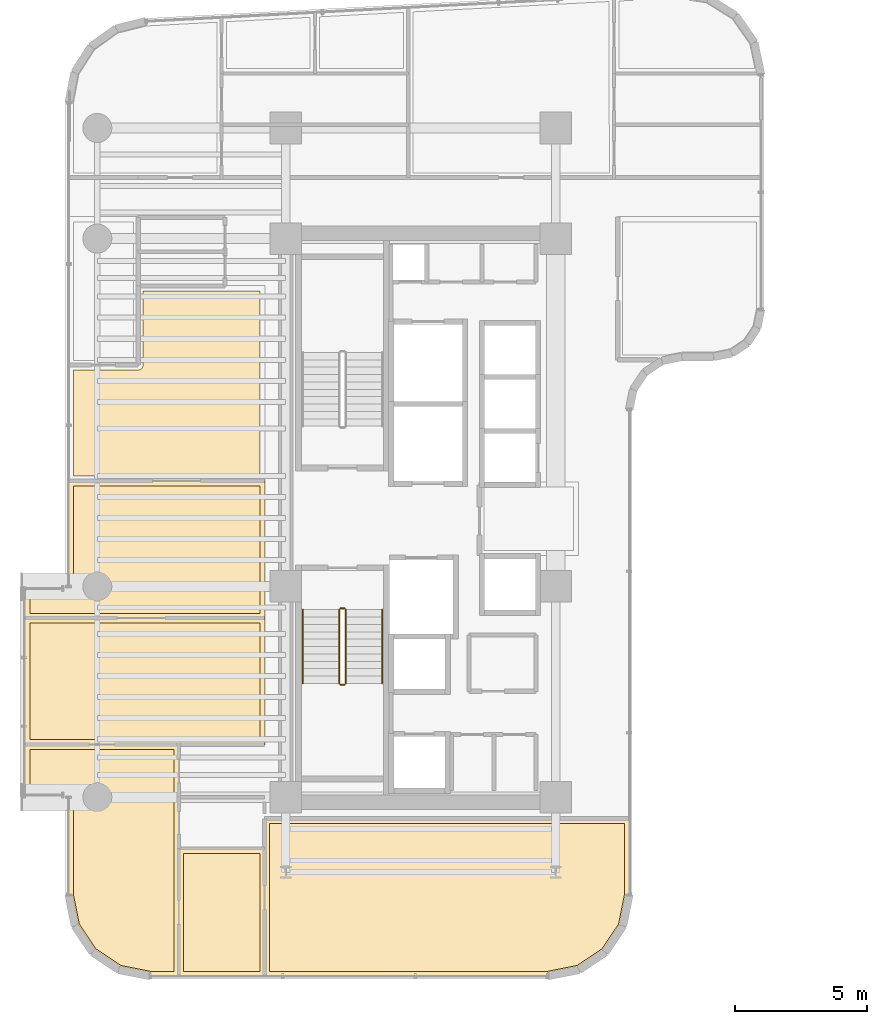
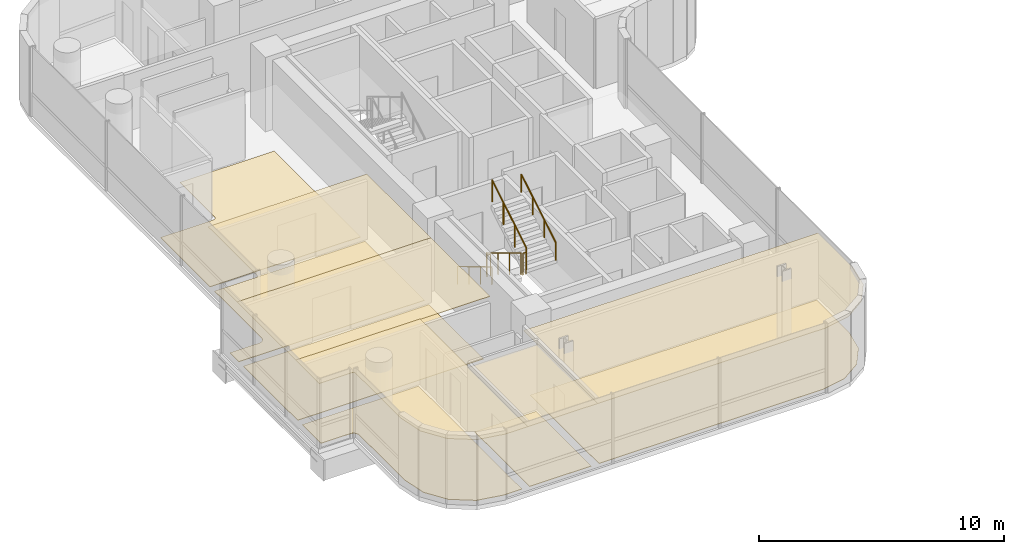
# One storey, part 31 of 34: 11 coverings, 6 railings.
"""IFC4 building model written with IfcOpenShell, lengths in metres."""

from ifc_helpers import new_model, si_unit, direction, frame, origin, origin_2d, place, context, subcontext, project, spatial, polyline, circle, outline, extrude, material, layer, layer_set, type_object, element, save


model = new_model("IFC4")

# Units and contexts
model_context = context("Model", 3, precision=1e-05, world=origin(), true_north=direction((0.0, 1.0)))
body_context = subcontext(model_context, "Body", "Model", "MODEL_VIEW")
ifc_project = project(units=[si_unit("LENGTHUNIT", "METRE"), si_unit("AREAUNIT", "SQUARE_METRE"), si_unit("VOLUMEUNIT", "CUBIC_METRE"), si_unit("PLANEANGLEUNIT", "RADIAN"), si_unit("MASSUNIT", "GRAM", prefix="KILO")], contexts=[model_context])

# Site, building, storey
site_placement = place(None, origin())
site = spatial("IfcSite", under=ifc_project, at=site_placement, CompositionType="ELEMENT")
building_placement = place(site_placement, origin())
building = spatial("IfcBuilding", under=site, at=building_placement, Name="Valdorenza Pilgrim Sanctuary Tower", CompositionType="ELEMENT")
storey_placement = place(building_placement, frame((0.0, 0.0, 161.199951171875)))
storey = spatial("IfcBuildingStorey", under=building, at=storey_placement, Name="L41", CompositionType="ELEMENT", Elevation=161.199951171875)

# Coverings
ifc_material_1 = material(Name="Micro-perforated acoustic mineral ceiling tile", Category="gypsum")
ifc_layer_1 = layer(ifc_material_1, 0.02490234375, Name="Micro-perforated acoustic mineral ceiling tile")
ifc_layer_set_1 = layer_set([ifc_layer_1], Name="Micro-perforated acoustic mineral ceiling tile")
covering_type_1 = type_object("IfcCoveringType", Name="COV-CLG-ACU", PredefinedType="CEILING", material=ifc_layer_set_1)
covering_1_placement = place(storey_placement, frame((0.0, 0.0, 3.16015625)))
element("IfcCovering", 1, at=covering_1_placement, inside=storey, type_object=covering_type_1, Name="L41 Sanctuary Apartment L41-CS1 Bedroom Acoustic Ceiling", PredefinedType="CEILING", context=body_context, shape_type="SweptSolid", body=[
    extrude(outline(polyline([(-26.7236328125, -12.550048828125), (-26.723388671875, -12.548583984375), (-26.723388671875, -12.547119140625), (-26.722900390625, -12.545654296875), (-26.722412109375, -12.544189453125), (-26.7216796875, -12.54296875), (-26.72119140625, -12.541748046875), (-26.72021484375, -12.54052734375), (-26.71923828125, -12.539306640625), (-26.718017578125, -12.538330078125), (-26.716796875, -12.53759765625), (-26.7158203125, -12.536865234375), (-26.71435546875, -12.5361328125), (-26.712890625, -12.53564453125), (-26.71142578125, -12.535400390625), (-26.710205078125, -12.53515625), (-26.70849609375, -12.534912109375), (-23.449951171875, -12.534912109375), (-23.448486328125, -12.53515625), (-23.447021484375, -12.535400390625), (-23.445556640625, -12.53564453125), (-23.4443359375, -12.5361328125), (-23.44287109375, -12.536865234375), (-23.441650390625, -12.53759765625), (-23.4404296875, -12.538330078125), (-23.439453125, -12.539306640625), (-23.4384765625, -12.54052734375), (-23.4375, -12.541748046875), (-23.436767578125, -12.54296875), (-23.43603515625, -12.544189453125), (-23.435546875, -12.545654296875), (-23.435302734375, -12.547119140625), (-23.43505859375, -12.548583984375), (-23.43505859375, -12.550048828125), (-23.43505859375, -17.389892578125), (-23.43505859375, -17.3916015625), (-23.435302734375, -17.392822265625), (-23.435546875, -17.394287109375), (-23.43603515625, -17.395751953125), (-23.436767578125, -17.397216796875), (-23.4375, -17.398193359375), (-23.4384765625, -17.3994140625), (-23.439453125, -17.400634765625), (-23.4404296875, -17.401611328125), (-23.441650390625, -17.402587890625), (-23.44287109375, -17.4033203125), (-23.4443359375, -17.40380859375), (-23.445556640625, -17.404296875), (-23.447021484375, -17.40478515625), (-23.448486328125, -17.40478515625), (-23.449951171875, -17.405029296875), (-26.70849609375, -17.405029296875), (-26.710205078125, -17.40478515625), (-26.71142578125, -17.40478515625), (-26.712890625, -17.404296875), (-26.71435546875, -17.40380859375), (-26.7158203125, -17.4033203125), (-26.716796875, -17.402587890625), (-26.718017578125, -17.401611328125), (-26.71923828125, -17.400634765625), (-26.72021484375, -17.3994140625), (-26.72119140625, -17.398193359375), (-26.7216796875, -17.397216796875), (-26.722412109375, -17.395751953125), (-26.722900390625, -17.394287109375), (-26.723388671875, -17.392822265625), (-26.723388671875, -17.3916015625), (-26.7236328125, -17.389892578125), (-26.7236328125, -12.550048828125)])), origin(), (0.0, 0.0, 1.0), 0.02490234375),
])
covering_2_placement = place(storey_placement, frame((0.0, 0.0, 3.16015625)))
element("IfcCovering", 2, at=covering_2_placement, inside=storey, type_object=covering_type_1, Name="L41 Sanctuary Apartment L41-CS1 Living Room Acoustic Ceiling", PredefinedType="CEILING", context=body_context, shape_type="SweptSolid", body=[
    extrude(outline(polyline([(-28.984619140625, -17.16748046875), (-28.986083984375, -17.1669921875), (-28.9873046875, -17.16650390625), (-28.98876953125, -17.166015625), (-28.989990234375, -17.165283203125), (-29.99169921875, -16.495849609375), (-29.992919921875, -16.4951171875), (-29.993896484375, -16.493896484375), (-29.9951171875, -16.492919921875), (-29.995849609375, -16.49169921875), (-30.665283203125, -15.489990234375), (-30.666015625, -15.48876953125), (-30.66650390625, -15.4873046875), (-30.6669921875, -15.486083984375), (-30.66748046875, -15.484619140625), (-30.90478515625, -14.2919921875), (-30.90478515625, -14.29052734375), (-30.905029296875, -14.289306640625), (-30.905029296875, -10.600341796875), (-30.905517578125, -10.5908203125), (-30.90673828125, -10.58154296875), (-30.9091796875, -10.572509765625), (-30.912109375, -10.563720703125), (-30.916259765625, -10.55517578125), (-30.9208984375, -10.547119140625), (-30.926513671875, -10.539794921875), (-30.932861328125, -10.53271484375), (-30.939697265625, -10.526611328125), (-30.947265625, -10.52099609375), (-30.955078125, -10.51611328125), (-30.963623046875, -10.51220703125), (-30.972412109375, -10.509033203125), (-30.9814453125, -10.5068359375), (-30.99072265625, -10.505615234375), (-31.00048828125, -10.5048828125), (-32.5400390625, -10.5048828125), (-32.54150390625, -10.5048828125), (-32.54296875, -10.504638671875), (-32.54443359375, -10.50439453125), (-32.545654296875, -10.50390625), (-32.547119140625, -10.503173828125), (-32.54833984375, -10.50244140625), (-32.549560546875, -10.501708984375), (-32.550537109375, -10.50048828125), (-32.551513671875, -10.49951171875), (-32.552490234375, -10.498291015625), (-32.55322265625, -10.4970703125), (-32.553955078125, -10.49560546875), (-32.554443359375, -10.494384765625), (-32.5546875, -10.492919921875), (-32.554931640625, -10.491455078125), (-32.554931640625, -10.489990234375), (-32.554931640625, -8.60009765625), (-32.554931640625, -8.598388671875), (-32.5546875, -8.59716796875), (-32.554443359375, -8.595703125), (-32.553955078125, -8.59423828125), (-32.55322265625, -8.593017578125), (-32.552490234375, -8.591796875), (-32.551513671875, -8.590576171875), (-32.550537109375, -8.58935546875), (-32.549560546875, -8.58837890625), (-32.54833984375, -8.58740234375), (-32.547119140625, -8.5869140625), (-32.545654296875, -8.586181640625), (-32.54443359375, -8.585693359375), (-32.54296875, -8.585205078125), (-32.54150390625, -8.585205078125), (-32.5400390625, -8.5849609375), (-26.70849609375, -8.5849609375), (-26.70703125, -8.585205078125), (-26.705810546875, -8.585205078125), (-26.7041015625, -8.585693359375), (-26.702880859375, -8.586181640625), (-26.701416015625, -8.5869140625), (-26.7001953125, -8.58740234375), (-26.69921875, -8.58837890625), (-26.697998046875, -8.58935546875), (-26.697021484375, -8.590576171875), (-26.696044921875, -8.591796875), (-26.6953125, -8.593017578125), (-26.694580078125, -8.59423828125), (-26.694091796875, -8.595703125), (-26.69384765625, -8.59716796875), (-26.693603515625, -8.598388671875), (-26.693603515625, -8.60009765625), (-26.693603515625, -12.548095703125), (-26.693603515625, -12.549560546875), (-26.69384765625, -12.551025390625), (-26.6943359375, -12.552490234375), (-26.69482421875, -12.553955078125), (-26.695556640625, -12.555419921875), (-26.695556640625, -12.555419921875), (-26.695556640625, -17.389892578125), (-26.69580078125, -17.3916015625), (-26.69580078125, -17.392822265625), (-26.6962890625, -17.394287109375), (-26.69677734375, -17.395751953125), (-26.697509765625, -17.397216796875), (-26.697998046875, -17.398193359375), (-26.698974609375, -17.3994140625), (-26.699951171875, -17.400634765625), (-26.701171875, -17.401611328125), (-26.702392578125, -17.402587890625), (-26.70361328125, -17.4033203125), (-26.704833984375, -17.40380859375), (-26.706298828125, -17.404296875), (-26.707763671875, -17.40478515625), (-26.708984375, -17.40478515625), (-26.710693359375, -17.405029296875), (-27.789306640625, -17.405029296875), (-27.79052734375, -17.40478515625), (-27.7919921875, -17.40478515625), (-28.984619140625, -17.16748046875)])), origin(), (0.0, 0.0, 1.0), 0.02490234375),
])
covering_3_placement = place(storey_placement, frame((0.0, 0.0, 3.16015625)))
element("IfcCovering", 3, at=covering_3_placement, inside=storey, type_object=covering_type_1, Name="L41 South Contemplation Salon L41 Acoustic Ceiling", PredefinedType="CEILING", context=body_context, shape_type="SweptSolid", body=[
    extrude(outline(polyline([(-26.71044921875, -8.613037109375), (-32.5400390625, -8.613037109375), (-32.54150390625, -8.61279296875), (-32.54296875, -8.61279296875), (-32.54443359375, -8.6123046875), (-32.545654296875, -8.61181640625), (-32.547119140625, -8.611083984375), (-32.54833984375, -8.610595703125), (-32.549560546875, -8.609619140625), (-32.550537109375, -8.608642578125), (-32.551513671875, -8.607421875), (-32.552490234375, -8.606201171875), (-32.55322265625, -8.60498046875), (-32.553955078125, -8.603759765625), (-32.554443359375, -8.602294921875), (-32.5546875, -8.600830078125), (-32.554931640625, -8.599609375), (-32.554931640625, -8.597900390625), (-32.554931640625, -3.800048828125), (-32.554931640625, -3.798583984375), (-32.5546875, -3.797119140625), (-32.554443359375, -3.795654296875), (-32.553955078125, -3.794189453125), (-32.55322265625, -3.79296875), (-32.552490234375, -3.791748046875), (-32.551513671875, -3.79052734375), (-32.550537109375, -3.789306640625), (-32.549560546875, -3.788330078125), (-32.54833984375, -3.78759765625), (-32.547119140625, -3.786865234375), (-32.545654296875, -3.7861328125), (-32.54443359375, -3.78564453125), (-32.54296875, -3.785400390625), (-32.54150390625, -3.78515625), (-32.5400390625, -3.784912109375), (-23.449951171875, -3.784912109375), (-23.448486328125, -3.78515625), (-23.447021484375, -3.785400390625), (-23.445556640625, -3.78564453125), (-23.4443359375, -3.7861328125), (-23.44287109375, -3.786865234375), (-23.441650390625, -3.78759765625), (-23.4404296875, -3.788330078125), (-23.439453125, -3.789306640625), (-23.4384765625, -3.79052734375), (-23.4375, -3.791748046875), (-23.436767578125, -3.79296875), (-23.43603515625, -3.794189453125), (-23.435546875, -3.795654296875), (-23.435302734375, -3.797119140625), (-23.43505859375, -3.798583984375), (-23.43505859375, -3.800048828125), (-23.43505859375, -8.597900390625), (-23.43505859375, -8.599609375), (-23.435302734375, -8.600830078125), (-23.435546875, -8.602294921875), (-23.43603515625, -8.603759765625), (-23.436767578125, -8.60498046875), (-23.4375, -8.606201171875), (-23.4384765625, -8.607421875), (-23.439453125, -8.608642578125), (-23.4404296875, -8.609619140625), (-23.441650390625, -8.610595703125), (-23.44287109375, -8.611083984375), (-23.4443359375, -8.61181640625), (-23.445556640625, -8.6123046875), (-23.447021484375, -8.61279296875), (-23.448486328125, -8.61279296875), (-23.449951171875, -8.613037109375), (-26.704833984375, -8.613037109375), (-26.70556640625, -8.613037109375), (-26.70703125, -8.61328125), (-26.70849609375, -8.61328125), (-26.710205078125, -8.613037109375), (-26.71044921875, -8.613037109375)])), origin(), (0.0, 0.0, 1.0), 0.02490234375),
])
covering_4_placement = place(storey_placement, frame((0.0, 0.0, 3.16015625)))
element("IfcCovering", 4, at=covering_4_placement, inside=storey, type_object=covering_type_1, Name="L41 Pilgrim Reading Lounge L41 Acoustic Ceiling", PredefinedType="CEILING", context=body_context, shape_type="SweptSolid", body=[
    extrude(outline(polyline([(-23.43505859375, -3.798095703125), (-23.43505859375, -3.799560546875), (-23.435302734375, -3.80078125), (-23.435546875, -3.802490234375), (-23.43603515625, -3.8037109375), (-23.436767578125, -3.80517578125), (-23.4375, -3.806396484375), (-23.4384765625, -3.8076171875), (-23.439453125, -3.80859375), (-23.4404296875, -3.8095703125), (-23.441650390625, -3.810546875), (-23.44287109375, -3.811279296875), (-23.4443359375, -3.81201171875), (-23.445556640625, -3.8125), (-23.447021484375, -3.812744140625), (-23.448486328125, -3.81298828125), (-23.449951171875, -3.81298828125), (-32.5400390625, -3.81298828125), (-32.54150390625, -3.81298828125), (-32.54296875, -3.812744140625), (-32.54443359375, -3.8125), (-32.545654296875, -3.81201171875), (-32.547119140625, -3.811279296875), (-32.54833984375, -3.810546875), (-32.549560546875, -3.8095703125), (-32.550537109375, -3.80859375), (-32.551513671875, -3.8076171875), (-32.552490234375, -3.806396484375), (-32.55322265625, -3.80517578125), (-32.553955078125, -3.8037109375), (-32.554443359375, -3.802490234375), (-32.5546875, -3.80078125), (-32.554931640625, -3.799560546875), (-32.554931640625, -3.798095703125), (-32.554931640625, -2.7099609375), (-32.554931640625, -2.70849609375), (-32.5546875, -2.70703125), (-32.554443359375, -2.70556640625), (-32.553955078125, -2.704345703125), (-32.55322265625, -2.702880859375), (-32.552490234375, -2.70166015625), (-32.551513671875, -2.700439453125), (-32.550537109375, -2.699462890625), (-32.549560546875, -2.698486328125), (-32.54833984375, -2.697509765625), (-32.547119140625, -2.69677734375), (-32.545654296875, -2.696044921875), (-32.54443359375, -2.695556640625), (-32.54296875, -2.6953125), (-32.54150390625, -2.695068359375), (-32.5400390625, -2.695068359375), (-31.00048828125, -2.695068359375), (-30.99072265625, -2.694580078125), (-30.9814453125, -2.693115234375), (-30.972412109375, -2.69091796875), (-30.963623046875, -2.687744140625), (-30.955078125, -2.683837890625), (-30.947265625, -2.678955078125), (-30.939697265625, -2.67333984375), (-30.932861328125, -2.667236328125), (-30.926513671875, -2.660400390625), (-30.9208984375, -2.65283203125), (-30.916259765625, -2.644775390625), (-30.912109375, -2.63623046875), (-30.9091796875, -2.627685546875), (-30.90673828125, -2.618408203125), (-30.905517578125, -2.609375), (-30.905029296875, -2.599609375), (-30.905029296875, 1.39990234375), (-30.90478515625, 1.401611328125), (-30.90478515625, 1.40283203125), (-30.904296875, 1.404296875), (-30.90380859375, 1.40576171875), (-30.9033203125, 1.406982421875), (-30.902587890625, 1.408203125), (-30.901611328125, 1.409423828125), (-30.900634765625, 1.41064453125), (-30.8994140625, 1.41162109375), (-30.898193359375, 1.41259765625), (-30.897216796875, 1.4130859375), (-30.895751953125, 1.413818359375), (-30.894287109375, 1.414306640625), (-30.892822265625, 1.414794921875), (-30.8916015625, 1.414794921875), (-30.889892578125, 1.4150390625), (-23.449951171875, 1.4150390625), (-23.448486328125, 1.414794921875), (-23.447021484375, 1.414794921875), (-23.445556640625, 1.414306640625), (-23.4443359375, 1.413818359375), (-23.44287109375, 1.4130859375), (-23.441650390625, 1.41259765625), (-23.4404296875, 1.41162109375), (-23.439453125, 1.41064453125), (-23.4384765625, 1.409423828125), (-23.4375, 1.408203125), (-23.436767578125, 1.406982421875), (-23.43603515625, 1.40576171875), (-23.435546875, 1.404296875), (-23.435302734375, 1.40283203125), (-23.43505859375, 1.401611328125), (-23.43505859375, 1.39990234375), (-23.43505859375, -3.798095703125)])), origin(), (0.0, 0.0, 1.0), 0.02490234375),
])
covering_5_placement = place(storey_placement, frame((0.0, 0.0, 3.16015625)))
element("IfcCovering", 5, at=covering_5_placement, inside=storey, type_object=covering_type_1, Name="L41 Sacred Archive Reading Library L41-S Acoustic Ceiling", PredefinedType="CEILING", context=body_context, shape_type="SweptSolid", body=[
    extrude(outline(polyline([(-23.462890625, -12.5517578125), (-23.463134765625, -12.551025390625), (-23.46337890625, -12.549560546875), (-23.463134765625, -12.548095703125), (-23.463134765625, -12.54638671875), (-23.462890625, -12.546142578125), (-23.462890625, -11.419921875), (-23.462890625, -11.41845703125), (-23.462646484375, -11.4169921875), (-23.46240234375, -11.41552734375), (-23.4619140625, -11.414306640625), (-23.461181640625, -11.412841796875), (-23.46044921875, -11.41162109375), (-23.459716796875, -11.410400390625), (-23.45849609375, -11.409423828125), (-23.45751953125, -11.408447265625), (-23.456298828125, -11.407470703125), (-23.455078125, -11.40673828125), (-23.45361328125, -11.406005859375), (-23.452392578125, -11.405517578125), (-23.450927734375, -11.4052734375), (-23.449462890625, -11.405029296875), (-23.447998046875, -11.405029296875), (-9.610107421875, -11.405029296875), (-9.6083984375, -11.405029296875), (-9.607177734375, -11.4052734375), (-9.605712890625, -11.405517578125), (-9.604248046875, -11.406005859375), (-9.602783203125, -11.40673828125), (-9.601806640625, -11.407470703125), (-9.6005859375, -11.408447265625), (-9.599365234375, -11.409423828125), (-9.598388671875, -11.410400390625), (-9.597412109375, -11.41162109375), (-9.5966796875, -11.412841796875), (-9.59619140625, -11.414306640625), (-9.595703125, -11.41552734375), (-9.59521484375, -11.4169921875), (-9.59521484375, -11.41845703125), (-9.594970703125, -11.419921875), (-9.594970703125, -14.289306640625), (-9.59521484375, -14.29052734375), (-9.59521484375, -14.2919921875), (-9.83251953125, -15.484619140625), (-9.8330078125, -15.486083984375), (-9.83349609375, -15.4873046875), (-9.833984375, -15.48876953125), (-9.834716796875, -15.489990234375), (-10.504150390625, -16.49169921875), (-10.5048828125, -16.492919921875), (-10.506103515625, -16.493896484375), (-10.507080078125, -16.4951171875), (-10.50830078125, -16.495849609375), (-11.510009765625, -17.165283203125), (-11.51123046875, -17.166015625), (-11.5126953125, -17.16650390625), (-11.513916015625, -17.1669921875), (-11.515380859375, -17.16748046875), (-12.7080078125, -17.40478515625), (-12.70947265625, -17.40478515625), (-12.710693359375, -17.405029296875), (-23.447998046875, -17.405029296875), (-23.449462890625, -17.40478515625), (-23.450927734375, -17.40478515625), (-23.452392578125, -17.404296875), (-23.45361328125, -17.40380859375), (-23.455078125, -17.4033203125), (-23.456298828125, -17.402587890625), (-23.45751953125, -17.401611328125), (-23.45849609375, -17.400634765625), (-23.459716796875, -17.3994140625), (-23.46044921875, -17.398193359375), (-23.461181640625, -17.397216796875), (-23.4619140625, -17.395751953125), (-23.46240234375, -17.394287109375), (-23.462646484375, -17.392822265625), (-23.462890625, -17.3916015625), (-23.462890625, -17.389892578125), (-23.462890625, -12.5517578125)])), origin(), (0.0, 0.0, 1.0), 0.02490234375),
])
ifc_material_2 = material(Name="Engineered European oak timber flooring", Category="wood")
ifc_layer_2 = layer(ifc_material_2, 0.02197265625, Name="Engineered European oak timber flooring")
ifc_layer_set_2 = layer_set([ifc_layer_2], Name="Engineered European oak timber flooring")
covering_type_2 = type_object("IfcCoveringType", Name="COV-FLR-OAK", PredefinedType="FLOORING", material=ifc_layer_set_2)
covering_6_placement = place(storey_placement, origin())
element("IfcCovering", 6, at=covering_6_placement, inside=storey, type_object=covering_type_2, Name="L41 Sanctuary Apartment L41-CS1 Bedroom Flooring", PredefinedType="FLOORING", context=body_context, shape_type="SweptSolid", body=[
    extrude(outline(polyline([(-26.528564453125, -12.72998046875), (-23.6298828125, -12.72998046875), (-23.6298828125, -17.2099609375), (-26.528564453125, -17.2099609375), (-26.528564453125, -12.72998046875)])), origin(), (0.0, 0.0, 1.0), 0.025146484375),
])
covering_7_placement = place(storey_placement, origin())
element("IfcCovering", 7, at=covering_7_placement, inside=storey, type_object=covering_type_2, Name="L41 Sanctuary Apartment L41-CS1 Living Room Flooring", PredefinedType="FLOORING", context=body_context, shape_type="SweptSolid", body=[
    extrude(outline(polyline([(-28.911376953125, -16.983154296875), (-29.853515625, -16.353515625), (-30.483154296875, -15.411376953125), (-30.7099609375, -14.271484375), (-30.7099609375, -10.60009765625), (-30.710205078125, -10.59130859375), (-30.710693359375, -10.580322265625), (-30.71240234375, -10.562744140625), (-30.714111328125, -10.552001953125), (-30.717529296875, -10.534912109375), (-30.72021484375, -10.5244140625), (-30.725341796875, -10.50732421875), (-30.72900390625, -10.497314453125), (-30.735595703125, -10.48095703125), (-30.740234375, -10.47119140625), (-30.74853515625, -10.45556640625), (-30.754150390625, -10.4462890625), (-30.763916015625, -10.431640625), (-30.7705078125, -10.423095703125), (-30.781494140625, -10.4091796875), (-30.788818359375, -10.4013671875), (-30.80126953125, -10.388916015625), (-30.809326171875, -10.381591796875), (-30.822998046875, -10.370361328125), (-30.831787109375, -10.364013671875), (-30.84619140625, -10.35400390625), (-30.855712890625, -10.3486328125), (-30.87109375, -10.34033203125), (-30.880859375, -10.335693359375), (-30.897216796875, -10.328857421875), (-30.907470703125, -10.3251953125), (-30.92431640625, -10.320068359375), (-30.934814453125, -10.3173828125), (-30.9521484375, -10.314208984375), (-30.962890625, -10.3125), (-30.98046875, -10.310791015625), (-30.9912109375, -10.310302734375), (-31.0, -10.31005859375), (-32.360107421875, -10.31005859375), (-32.360107421875, -8.780029296875), (-26.888671875, -8.780029296875), (-26.888671875, -12.523193359375), (-26.888671875, -12.523193359375), (-26.888671875, -12.5234375), (-26.890380859375, -12.541015625), (-26.890380859375, -12.541259765625), (-26.890625, -12.550048828125), (-26.890625, -17.2099609375), (-27.771484375, -17.2099609375), (-28.911376953125, -16.983154296875)])), origin(), (0.0, 0.0, 1.0), 0.025146484375),
])
ifc_material_3 = material(Name="Honed travertine stone flooring", Category="masonry")
ifc_layer_3 = layer(ifc_material_3, 0.030029296875, Name="Honed travertine stone flooring")
ifc_layer_set_3 = layer_set([ifc_layer_3], Name="Honed travertine stone flooring")
covering_type_3 = type_object("IfcCoveringType", Name="COV-FLR-TRV", PredefinedType="FLOORING", material=ifc_layer_set_3)
covering_8_placement = place(storey_placement, origin())
element("IfcCovering", 8, at=covering_8_placement, inside=storey, type_object=covering_type_3, Name="L41 South Contemplation Salon L41 Flooring", PredefinedType="FLOORING", context=body_context, shape_type="SweptSolid", body=[
    extrude(outline(polyline([(-26.708251953125, -8.41796875), (-26.70849609375, -8.41796875), (-32.360107421875, -8.41796875), (-32.360107421875, -3.97998046875), (-23.6298828125, -3.97998046875), (-23.6298828125, -8.41796875), (-26.70654296875, -8.41796875), (-26.70751953125, -8.41796875), (-26.708251953125, -8.41796875)])), origin(), (0.0, 0.0, 1.0), 0.025146484375),
])
covering_9_placement = place(storey_placement, origin())
element("IfcCovering", 9, at=covering_9_placement, inside=storey, type_object=covering_type_3, Name="L41 Pilgrim Reading Lounge L41 Flooring", PredefinedType="FLOORING", context=body_context, shape_type="SweptSolid", body=[
    extrude(outline(polyline([(-23.6298828125, -3.617919921875), (-32.360107421875, -3.617919921875), (-32.360107421875, -2.889892578125), (-31.0, -2.889892578125), (-30.9912109375, -2.889892578125), (-30.98046875, -2.889404296875), (-30.962890625, -2.887451171875), (-30.9521484375, -2.885986328125), (-30.934814453125, -2.882568359375), (-30.92431640625, -2.8798828125), (-30.907470703125, -2.874755859375), (-30.897216796875, -2.87109375), (-30.880859375, -2.8642578125), (-30.87109375, -2.859619140625), (-30.855712890625, -2.851318359375), (-30.84619140625, -2.845947265625), (-30.831787109375, -2.8359375), (-30.822998046875, -2.82958984375), (-30.809326171875, -2.818359375), (-30.80126953125, -2.811279296875), (-30.788818359375, -2.798583984375), (-30.781494140625, -2.790771484375), (-30.7705078125, -2.777099609375), (-30.763916015625, -2.768310546875), (-30.754150390625, -2.753662109375), (-30.74853515625, -2.744384765625), (-30.740234375, -2.728759765625), (-30.735595703125, -2.718994140625), (-30.72900390625, -2.70263671875), (-30.725341796875, -2.692626953125), (-30.72021484375, -2.67578125), (-30.717529296875, -2.665283203125), (-30.714111328125, -2.64794921875), (-30.71240234375, -2.63720703125), (-30.710693359375, -2.61962890625), (-30.710205078125, -2.60888671875), (-30.7099609375, -2.60009765625), (-30.7099609375, 1.219970703125), (-23.6298828125, 1.219970703125), (-23.6298828125, -3.617919921875)])), origin(), (0.0, 0.0, 1.0), 0.025146484375),
])
covering_10_placement = place(storey_placement, origin())
element("IfcCovering", 10, at=covering_10_placement, inside=storey, type_object=covering_type_3, Name="L41 North Contemplation Salon L41 Flooring", PredefinedType="FLOORING", context=body_context, shape_type="SweptSolid", body=[
    extrude(outline(polyline([(-23.6298828125, 8.619873046875), (-23.6298828125, 1.58203125), (-30.7099609375, 1.58203125), (-30.7099609375, 5.617919921875), (-28.25, 5.617919921875), (-28.2412109375, 5.6181640625), (-28.240966796875, 5.6181640625), (-28.223388671875, 5.6201171875), (-28.22314453125, 5.6201171875), (-28.205810546875, 5.623291015625), (-28.205810546875, 5.62353515625), (-28.188720703125, 5.628662109375), (-28.188720703125, 5.628662109375), (-28.17236328125, 5.635498046875), (-28.172119140625, 5.635498046875), (-28.156494140625, 5.643798828125), (-28.156494140625, 5.643798828125), (-28.1416015625, 5.65380859375), (-28.1416015625, 5.65380859375), (-28.1279296875, 5.6650390625), (-28.127685546875, 5.665283203125), (-28.115234375, 5.677734375), (-28.114990234375, 5.677978515625), (-28.10400390625, 5.69140625), (-28.103759765625, 5.691650390625), (-28.093994140625, 5.706298828125), (-28.09375, 5.70654296875), (-28.08544921875, 5.72216796875), (-28.08544921875, 5.722412109375), (-28.07861328125, 5.738525390625), (-28.07861328125, 5.73876953125), (-28.073486328125, 5.755615234375), (-28.073486328125, 5.755859375), (-28.070068359375, 5.773193359375), (-28.070068359375, 5.7734375), (-28.068115234375, 5.791015625), (-28.068115234375, 5.791259765625), (-28.068115234375, 5.800048828125), (-28.068115234375, 8.617919921875), (-24.949951171875, 8.617919921875), (-24.94970703125, 8.617919921875), (-23.6298828125, 8.619873046875)])), origin(), (0.0, 0.0, 1.0), 0.025146484375),
])
covering_11_placement = place(storey_placement, origin())
element("IfcCovering", 11, at=covering_11_placement, inside=storey, type_object=covering_type_3, Name="L41 Sacred Archive Reading Library L41-S Flooring", PredefinedType="FLOORING", context=body_context, shape_type="SweptSolid", body=[
    extrude(outline(polyline([(-23.26806640625, -12.54833984375), (-23.26806640625, -12.548095703125), (-23.26806640625, -11.60009765625), (-9.7900390625, -11.60009765625), (-9.7900390625, -14.271484375), (-10.016845703125, -15.411376953125), (-10.646484375, -16.353515625), (-11.588623046875, -16.983154296875), (-12.728515625, -17.2099609375), (-23.26806640625, -17.2099609375), (-23.26806640625, -12.550048828125), (-23.26806640625, -12.549072265625), (-23.26806640625, -12.54833984375)])), origin(), (0.0, 0.0, 1.0), 0.025146484375),
])

# Railings
ifc_material_4 = material(Name="Stainless steel Grade 316", Category="steel")
railing_type_1 = type_object("IfcRailingType", Name="RLG-GRD-1120", PredefinedType="GUARDRAIL", material=ifc_material_4)
railing_1_placement = place(storey_placement, frame((-20.6201171875, -3.47998046875, 0.168212890625)))
element("IfcRailing", 12, at=railing_1_placement, inside=storey, type_object=railing_type_1, Name="L41 ST-A2 stair guard 1", PredefinedType="GUARDRAIL", context=body_context, shape_type="SweptSolid", body=[
    extrude(circle(Radius=0.02392578125, at=origin_2d()), frame((0.0, 0.0, 1.076171875), z_axis=(0.0, -0.857242210791, 0.514913383045), x_axis=(1.0, 0.0, 0.0)), (0.0, 0.0, 1.0), 3.266357421875),
    extrude(circle(Radius=0.02099609375, at=origin_2d()), origin(), (0.0, 0.0, 1.0), 1.052001953125),
    extrude(circle(Radius=0.02099609375, at=origin_2d()), frame((0.0, -0.933349609375, 0.560546875)), (0.0, 0.0, 1.0), 1.052001953125),
    extrude(circle(Radius=0.02099609375, at=origin_2d()), frame((0.0, -1.86669921875, 1.121337890625)), (0.0, 0.0, 1.0), 1.052001953125),
    extrude(circle(Radius=0.02099609375, at=origin_2d()), frame((0.0, -2.800048828125, 1.681884765625)), (0.0, 0.0, 1.0), 1.052001953125),
])
railing_2_placement = place(storey_placement, frame((-20.570068359375, -6.330078125, 1.85009765625)))
element("IfcRailing", 13, at=railing_2_placement, inside=storey, type_object=railing_type_1, Name="L41 ST-A2 stair guard 2", PredefinedType="GUARDRAIL", context=body_context, shape_type="SweptSolid", body=[
    extrude(circle(Radius=0.02392578125, at=origin_2d()), frame((0.0, 0.0, 1.076171875), z_axis=(1.0, 0.0, 0.0), x_axis=(0.0, 1.0, 0.0)), (0.0, 0.0, 1.0), 0.150146484375),
    extrude(circle(Radius=0.02099609375, at=origin_2d()), origin(), (0.0, 0.0, 1.0), 1.052001953125),
    extrude(circle(Radius=0.02099609375, at=origin_2d()), frame((0.150146484375, 0.0, 0.0)), (0.0, 0.0, 1.0), 1.052001953125),
])
railing_3_placement = place(storey_placement, frame((-20.3701171875, -6.280029296875, 2.018310546875)))
element("IfcRailing", 14, at=railing_3_placement, inside=storey, type_object=railing_type_1, Name="L41 ST-A2 stair guard 3", PredefinedType="GUARDRAIL", context=body_context, shape_type="SweptSolid", body=[
    extrude(circle(Radius=0.02392578125, at=origin_2d()), frame((0.0, 0.0, 1.076171875), z_axis=(0.0, 0.857275202839, 0.514858452973), x_axis=(-1.0, 0.0, 0.0)), (0.0, 0.0, 1.0), 3.26611328125),
    extrude(circle(Radius=0.02099609375, at=origin_2d()), origin(), (0.0, 0.0, 1.0), 1.052001953125),
    extrude(circle(Radius=0.02099609375, at=origin_2d()), frame((0.0, 0.933349609375, 0.560546875)), (0.0, 0.0, 1.0), 1.052001953125),
    extrude(circle(Radius=0.02099609375, at=origin_2d()), frame((0.0, 1.86669921875, 1.12109375)), (0.0, 0.0, 1.0), 1.052001953125),
    extrude(circle(Radius=0.02099609375, at=origin_2d()), frame((0.0, 2.800048828125, 1.681640625)), (0.0, 0.0, 1.0), 1.052001953125),
])
railing_4_placement = place(storey_placement, frame((-20.570068359375, -3.429931640625, 0.0)))
element("IfcRailing", 15, at=railing_4_placement, inside=storey, type_object=railing_type_1, Name="L41 ST-A2 stair guard 4", PredefinedType="GUARDRAIL", context=body_context, shape_type="SweptSolid", body=[
    extrude(circle(Radius=0.02392578125, at=origin_2d()), frame((0.0, 0.0, 1.076171875), z_axis=(1.0, 0.0, 0.0), x_axis=(0.0, 1.0, 0.0)), (0.0, 0.0, 1.0), 0.150146484375),
    extrude(circle(Radius=0.02099609375, at=origin_2d()), origin(), (0.0, 0.0, 1.0), 1.052001953125),
    extrude(circle(Radius=0.02099609375, at=origin_2d()), frame((0.150146484375, 0.0, 0.0)), (0.0, 0.0, 1.0), 1.052001953125),
])
ifc_material_5 = material(Name="Brushed stainless steel Grade 316", Category="steel")
railing_type_2 = type_object("IfcRailingType", Name="RLG-HND-920", PredefinedType="HANDRAIL", material=ifc_material_5)
railing_5_placement = place(storey_placement, frame((-22.0, -3.47998046875, 0.168212890625)))
element("IfcRailing", 16, at=railing_5_placement, inside=storey, type_object=railing_type_2, Name="L41 ST-A2 stair handrail 1", PredefinedType="HANDRAIL", context=body_context, shape_type="SweptSolid", body=[
    extrude(circle(Radius=0.02392578125, at=origin_2d()), frame((0.0, 0.0, 0.8759765625), z_axis=(0.0, -0.857242210791, 0.514913383045), x_axis=(1.0, 0.0, 0.0)), (0.0, 0.0, 1.0), 3.266357421875),
    extrude(circle(Radius=0.02099609375, at=origin_2d()), origin(), (0.0, 0.0, 1.0), 0.851806640625),
    extrude(circle(Radius=0.02099609375, at=origin_2d()), frame((0.0, -0.933349609375, 0.560546875)), (0.0, 0.0, 1.0), 0.851806640625),
    extrude(circle(Radius=0.02099609375, at=origin_2d()), frame((0.0, -1.86669921875, 1.121337890625)), (0.0, 0.0, 1.0), 0.851806640625),
    extrude(circle(Radius=0.02099609375, at=origin_2d()), frame((0.0, -2.800048828125, 1.681884765625)), (0.0, 0.0, 1.0), 0.851806640625),
])
railing_6_placement = place(storey_placement, frame((-18.989990234375, -6.280029296875, 2.018310546875)))
element("IfcRailing", 17, at=railing_6_placement, inside=storey, type_object=railing_type_2, Name="L41 ST-A2 stair handrail 2", PredefinedType="HANDRAIL", context=body_context, shape_type="SweptSolid", body=[
    extrude(circle(Radius=0.02392578125, at=origin_2d()), frame((0.0, 0.0, 0.8759765625), z_axis=(0.0, 0.857275202839, 0.514858452973), x_axis=(-1.0, 0.0, 0.0)), (0.0, 0.0, 1.0), 3.26611328125),
    extrude(circle(Radius=0.02099609375, at=origin_2d()), origin(), (0.0, 0.0, 1.0), 0.851806640625),
    extrude(circle(Radius=0.02099609375, at=origin_2d()), frame((0.0, 0.933349609375, 0.560546875)), (0.0, 0.0, 1.0), 0.851806640625),
    extrude(circle(Radius=0.02099609375, at=origin_2d()), frame((0.0, 1.86669921875, 1.12109375)), (0.0, 0.0, 1.0), 0.851806640625),
    extrude(circle(Radius=0.02099609375, at=origin_2d()), frame((0.0, 2.800048828125, 1.681640625)), (0.0, 0.0, 1.0), 0.851806640625),
])

save(model, "model.ifc")
